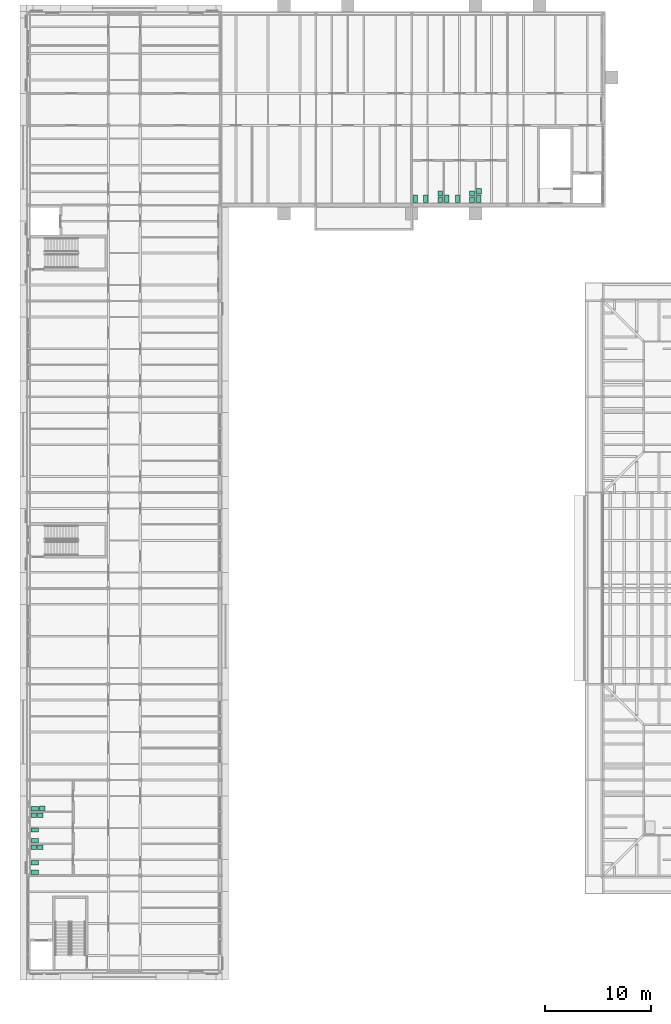
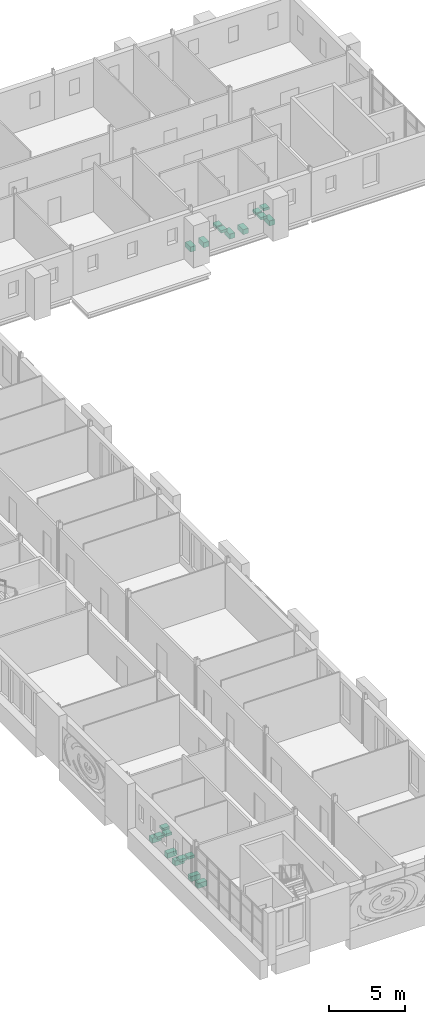
# One storey, part 121 of 121: 20 sanitary terminals.
"""IFC4 building model written with IfcOpenShell, lengths in metres."""

from ifc_helpers import new_model, si_unit, direction, frame, origin, origin_2d, place, context, subcontext, project, spatial, rectangle, extrude, material, type_object, element, save


model = new_model("IFC4")

# Units and contexts
model_context = context("Model", 3, precision=1e-05, world=origin(), true_north=direction((0.0, 1.0)))
body_context = subcontext(model_context, "Body", "Model", "MODEL_VIEW")
ifc_project = project(units=[si_unit("LENGTHUNIT", "METRE"), si_unit("AREAUNIT", "SQUARE_METRE"), si_unit("VOLUMEUNIT", "CUBIC_METRE"), si_unit("PLANEANGLEUNIT", "RADIAN"), si_unit("MASSUNIT", "GRAM", prefix="KILO")], contexts=[model_context])

# Site, building, storey
site_placement = place(None, origin())
site = spatial("IfcSite", under=ifc_project, at=site_placement, CompositionType="ELEMENT")
building_placement = place(site_placement, origin())
building = spatial("IfcBuilding", under=site, at=building_placement, Name="Golden Quay Civic Hall", CompositionType="ELEMENT")
storey_placement = place(building_placement, frame((0.0, 0.0, 18.60009765625)))
storey = spatial("IfcBuildingStorey", under=building, at=storey_placement, Name="L04", CompositionType="ELEMENT", Elevation=18.60009765625)

# Sanitary terminals
ifc_material_1 = material(Name="Ceramic")
sanitary_terminal_type_1 = type_object("IfcSanitaryTerminalType", Name="Toilet pan", PredefinedType="TOILETPAN", material=ifc_material_1)
for number, where, z_axis, x_axis, name in (
    (1, (36.324951171875, 63.60009765625, 0.0), (0.0, 0.0, 1.0), (1.0, 0.0, 0.0), "Toilet pan"),
    (2, (37.324951171875, 63.60009765625, 0.0), (0.0, 0.0, 1.0), (1.0, 0.0, 0.0), "Toilet pan"),
    (3, (39.300048828125, 63.60009765625, 0.0), (0.0, 0.0, 1.0), (1.0, 0.0, 0.0), "Toilet pan"),
    (4, (40.300048828125, 63.60009765625, 0.0), (0.0, 0.0, 1.0), (1.0, 0.0, 0.0), "Toilet pan"),
    (5, (42.300048828125, 63.60009765625, 0.0), (0.0, 0.0, 1.0), (1.0, 0.0, 0.0), "Toilet pan"),
    (6, (0.60009765625, 0.324951171875, 0.0), (0.0, 0.0, 1.0), (0.0, 1.0, 0.0), "Toilet pan"),
    (7, (0.60009765625, 1.22509765625, 0.0), (0.0, 0.0, 1.0), (0.0, 1.0, 0.0), "Toilet pan"),
    (8, (0.60009765625, 3.300048828125, 0.0), (0.0, 0.0, 1.0), (0.0, 1.0, 0.0), "Toilet pan"),
    (9, (0.60009765625, 4.300048828125, 0.0), (0.0, 0.0, 1.0), (0.0, 1.0, 0.0), "Toilet pan"),
    (10, (0.60009765625, 6.300048828125, 0.0), (0.0, 0.0, 1.0), (0.0, 1.0, 0.0), "Toilet pan"),
):
    element("IfcSanitaryTerminal", number, at=place(storey_placement, frame(where, z_axis=z_axis, x_axis=x_axis)), inside=storey, type_object=sanitary_terminal_type_1, Name=name, PredefinedType="TOILETPAN", context=body_context, shape_type="SweptSolid", body=[
        extrude(rectangle(XDim=0.39990234375, YDim=0.699951171875, at=origin_2d()), origin(), (0.0, 0.0, 1.0), 0.39990234375),
    ])
ifc_material_2 = material(Name="Ceramic")
sanitary_terminal_type_2 = type_object("IfcSanitaryTerminalType", Name="Wash basin", PredefinedType="WASHHANDBASIN", material=ifc_material_2)
for number, where, z_axis, x_axis, name in (
    (11, (38.675048828125, 63.5, 0.69970703125), (0.0, 0.0, 1.0), (0.0, 1.0, 0.0), "Wash basin"),
    (12, (38.675048828125, 64.10009765625, 0.69970703125), (0.0, 0.0, 1.0), (0.0, 1.0, 0.0), "Wash basin"),
    (13, (41.675048828125, 63.5, 0.69970703125), (0.0, 0.0, 1.0), (0.0, 1.0, 0.0), "Wash basin"),
    (14, (41.675048828125, 64.10009765625, 0.69970703125), (0.0, 0.0, 1.0), (0.0, 1.0, 0.0), "Wash basin"),
    (15, (42.324951171875, 64.300048828125, 0.69970703125), (0.0, 0.0, 1.0), (0.0, 1.0, 0.0), "Wash basin"),
    (16, (0.5, 2.675048828125, 0.69970703125), (0.0, 0.0, 1.0), (1.0, 0.0, 0.0), "Wash basin"),
    (17, (1.10009765625, 2.675048828125, 0.69970703125), (0.0, 0.0, 1.0), (1.0, 0.0, 0.0), "Wash basin"),
    (18, (0.5, 5.675048828125, 0.69970703125), (0.0, 0.0, 1.0), (1.0, 0.0, 0.0), "Wash basin"),
    (19, (1.10009765625, 5.675048828125, 0.69970703125), (0.0, 0.0, 1.0), (1.0, 0.0, 0.0), "Wash basin"),
    (20, (1.300048828125, 6.324951171875, 0.69970703125), (0.0, 0.0, 1.0), (1.0, 0.0, 0.0), "Wash basin"),
):
    element("IfcSanitaryTerminal", number, at=place(storey_placement, frame(where, z_axis=z_axis, x_axis=x_axis)), inside=storey, type_object=sanitary_terminal_type_2, Name=name, PredefinedType="WASHHANDBASIN", context=body_context, shape_type="SweptSolid", body=[
        extrude(rectangle(XDim=0.5, YDim=0.449951171875, at=origin_2d()), origin(), (0.0, 0.0, 1.0), 0.199951171875),
    ])

save(model, "model.ifc")
